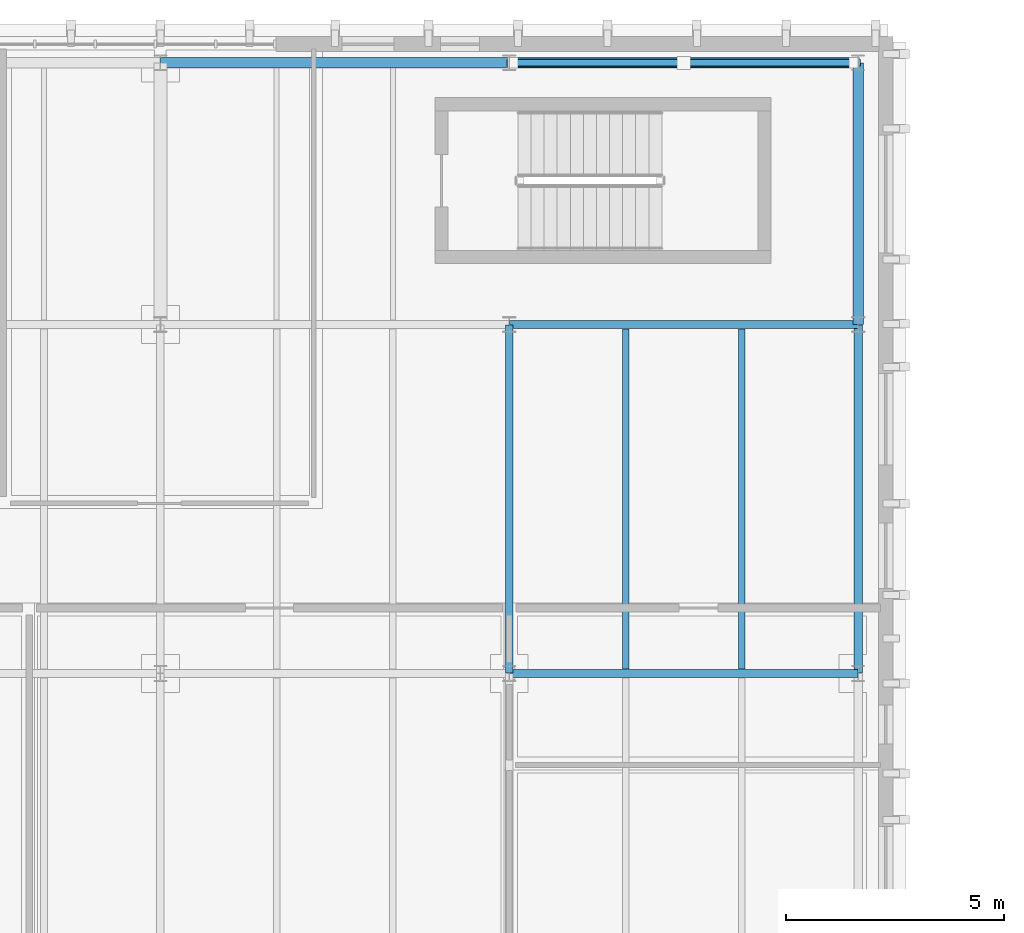
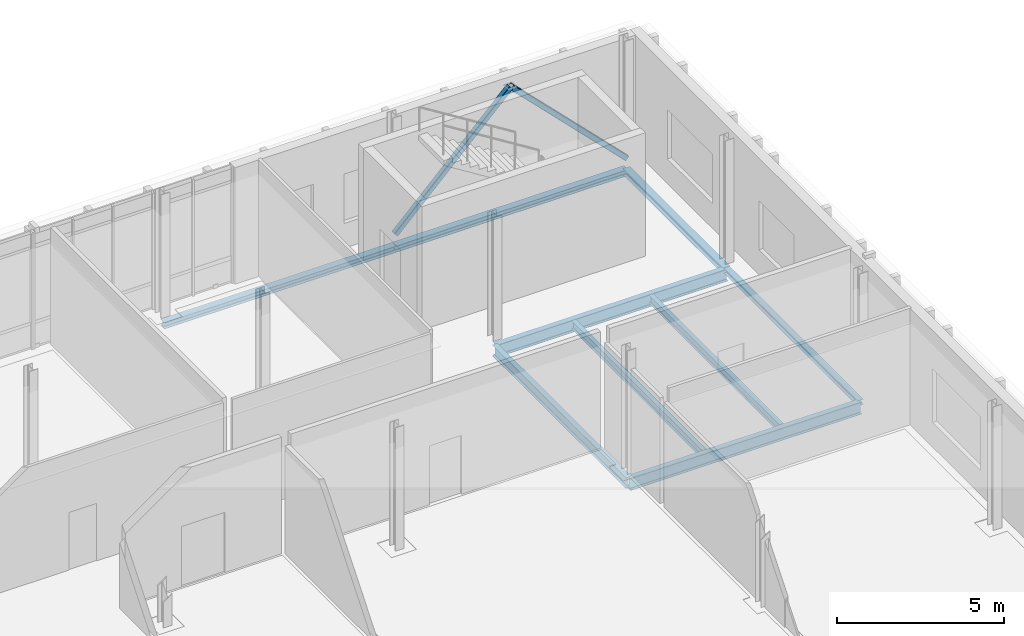
# One storey, part 42 of 100: 9 beams, 2 members.
"""IFC4 building model written with IfcOpenShell, lengths in metres."""

from ifc_helpers import new_model, si_unit, direction, frame, origin, origin_2d, place, context, subcontext, project, spatial, hollow_rectangle, i_section, extrude, material, material_profile, profile_set, type_object, element, save


model = new_model("IFC4")

# Units and contexts
model_context = context("Model", 3, precision=1e-05, world=origin(), true_north=direction((0.0, 1.0)))
body_context = subcontext(model_context, "Body", "Model", "MODEL_VIEW")
ifc_project = project(units=[si_unit("LENGTHUNIT", "METRE"), si_unit("AREAUNIT", "SQUARE_METRE"), si_unit("VOLUMEUNIT", "CUBIC_METRE"), si_unit("PLANEANGLEUNIT", "RADIAN"), si_unit("MASSUNIT", "GRAM", prefix="KILO")], contexts=[model_context])

# Site, building, storey
site_placement = place(None, origin())
site = spatial("IfcSite", under=ifc_project, at=site_placement, CompositionType="ELEMENT")
building_placement = place(site_placement, origin())
building = spatial("IfcBuilding", under=site, at=building_placement, Name="Cymarion Research Institute", CompositionType="ELEMENT")
storey_placement = place(building_placement, frame((0.0, 0.0, 9.300048828125)))
storey = spatial("IfcBuildingStorey", under=building, at=storey_placement, Name="L02", CompositionType="ELEMENT", Elevation=9.300048828125)

# Beams
ifc_material = material(Name="Steel S355", Category="steel")
ifc_material_profile_1 = material_profile(ifc_material, i_section(OverallWidth=0.18994140625, OverallDepth=0.449951171875, WebThickness=0.009521484375, FlangeThickness=0.0146484375, FilletRadius=0.02099609375, at=origin_2d()), Name="IPE 450")
ifc_profile_set_1 = profile_set([ifc_material_profile_1], Name="Steel S355")
beam_type_1 = type_object("IfcBeamType", Name="PRIMARY GIRDER BM04 IPE 450", PredefinedType="BEAM", material=ifc_profile_set_1)
for number, where, z_axis, x_axis, name in (
    (1, (38.60595703125, 101.5, -0.47509765625), (1.0, 0.0, 0.0), (0.0, 1.0, 0.0), "L02 V5 girder BM04 #1111"),
    (2, (38.60595703125, 109.5, -0.47509765625), (1.0, 0.0, 0.0), (0.0, 1.0, 0.0), "L02 V5 girder BM04 #1116"),
):
    element("IfcBeam", number, at=place(storey_placement, frame(where, z_axis=z_axis, x_axis=x_axis)), inside=storey, type_object=beam_type_1, Name=name, PredefinedType="BEAM", context=body_context, shape_type="SweptSolid", body=[
        extrude(i_section(OverallWidth=0.18994140625, OverallDepth=0.449951171875, WebThickness=0.009521484375, FlangeThickness=0.0146484375, FilletRadius=0.02099609375, at=origin_2d()), origin(), (0.0, 0.0, 1.0), 7.988037109375),
    ])
ifc_material_profile_2 = material_profile(ifc_material, i_section(OverallWidth=0.179931640625, OverallDepth=0.39990234375, WebThickness=0.008544921875, FlangeThickness=0.013427734375, FilletRadius=0.02099609375, at=origin_2d()), Name="IPE 400")
ifc_profile_set_2 = profile_set([ifc_material_profile_2], Name="Steel S355")
beam_type_2 = type_object("IfcBeamType", Name="PRIMARY GIRDER BM05 IPE 400", PredefinedType="BEAM", material=ifc_profile_set_2)
beam_1_placement = place(storey_placement, frame((38.60009765625, 101.506103515625, -0.449951171875), z_axis=(0.0, 1.0, 0.0), x_axis=(-1.0, 0.0, 0.0)))
element("IfcBeam", 3, at=beam_1_placement, inside=storey, type_object=beam_type_2, Name="L02 V5 girder BM05 #1138", PredefinedType="BEAM", context=body_context, shape_type="SweptSolid", body=[
    extrude(i_section(OverallWidth=0.179931640625, OverallDepth=0.39990234375, WebThickness=0.008544921875, FlangeThickness=0.013427734375, FilletRadius=0.02099609375, at=origin_2d()), origin(), (0.0, 0.0, 1.0), 7.98779296875),
])
ifc_material_profile_3 = material_profile(ifc_material, i_section(OverallWidth=0.14990234375, OverallDepth=0.300048828125, WebThickness=0.007080078125, FlangeThickness=0.0107421875, FilletRadius=0.014892578125, at=origin_2d()), Name="IPE 300")
ifc_profile_set_3 = profile_set([ifc_material_profile_3], Name="Steel S355")
beam_type_3 = type_object("IfcBeamType", Name="SECONDARY JOIST JS02 IPE 300", PredefinedType="JOIST", material=ifc_profile_set_3)
for number, where, z_axis, x_axis, name in (
    (4, (41.2666015625, 101.59912109375, -0.400146484375), (0.0, 1.0, 0.0), (-1.0, 0.0, 0.0), "L02 V5 secondary joist JS02 #1158"),
    (5, (43.933349609375, 101.59912109375, -0.400146484375), (0.0, 1.0, 0.0), (-1.0, 0.0, 0.0), "L02 V5 secondary joist JS02 #1159"),
):
    element("IfcBeam", number, at=place(storey_placement, frame(where, z_axis=z_axis, x_axis=x_axis)), inside=storey, type_object=beam_type_3, Name=name, PredefinedType="JOIST", context=body_context, shape_type="SweptSolid", body=[
        extrude(i_section(OverallWidth=0.14990234375, OverallDepth=0.300048828125, WebThickness=0.007080078125, FlangeThickness=0.0107421875, FilletRadius=0.014892578125, at=origin_2d()), origin(), (0.0, 0.0, 1.0), 7.8017578125),
    ])
ifc_material_profile_4 = material_profile(ifc_material, i_section(OverallWidth=0.239990234375, OverallDepth=0.22998046875, WebThickness=0.007568359375, FlangeThickness=0.011962890625, FilletRadius=0.02099609375, at=origin_2d()), Name="HEA 240")
ifc_profile_set_4 = profile_set([ifc_material_profile_4], Name="Steel S355")
beam_type_4 = type_object("IfcBeamType", Name="SPANDREL BEAM SPB03 HEA 240", PredefinedType="SPANDREL", material=ifc_profile_set_4)
for number, where, z_axis, x_axis, name in (
    (6, (30.60595703125, 115.5, -0.364990234375), (1.0, 0.0, 0.0), (0.0, 1.0, 0.0), "L02 V5 girder SPB03 #1120"),
    (7, (38.60595703125, 115.5, -0.364990234375), (1.0, 0.0, 0.0), (0.0, 1.0, 0.0), "L02 V5 girder SPB03 #1121"),
):
    element("IfcBeam", number, at=place(storey_placement, frame(where, z_axis=z_axis, x_axis=x_axis)), inside=storey, type_object=beam_type_4, Name=name, PredefinedType="SPANDREL", context=body_context, shape_type="SweptSolid", body=[
        extrude(i_section(OverallWidth=0.239990234375, OverallDepth=0.22998046875, WebThickness=0.007568359375, FlangeThickness=0.011962890625, FilletRadius=0.02099609375, at=origin_2d()), origin(), (0.0, 0.0, 1.0), 7.988037109375),
    ])
beam_2_placement = place(storey_placement, frame((46.60009765625, 109.506103515625, -0.364990234375), z_axis=(0.0, 1.0, 0.0), x_axis=(-1.0, 0.0, 0.0)))
element("IfcBeam", 8, at=beam_2_placement, inside=storey, type_object=beam_type_4, Name="L02 V5 girder SPB03 #1141", PredefinedType="SPANDREL", context=body_context, shape_type="SweptSolid", body=[
    extrude(i_section(OverallWidth=0.239990234375, OverallDepth=0.22998046875, WebThickness=0.007568359375, FlangeThickness=0.011962890625, FilletRadius=0.02099609375, at=origin_2d()), origin(), (0.0, 0.0, 1.0), 5.98779296875),
])
ifc_material_profile_5 = material_profile(ifc_material, i_section(OverallWidth=0.199951171875, OverallDepth=0.18994140625, WebThickness=0.006591796875, FlangeThickness=0.010009765625, FilletRadius=0.01806640625, at=origin_2d()), Name="HEA 200")
ifc_profile_set_5 = profile_set([ifc_material_profile_5], Name="Steel S355")
beam_type_5 = type_object("IfcBeamType", Name="SPANDREL BEAM SPB04 HEA 200", PredefinedType="SPANDREL", material=ifc_profile_set_5)
beam_3_placement = place(storey_placement, frame((46.60009765625, 101.506103515625, -0.344970703125), z_axis=(0.0, 1.0, 0.0), x_axis=(-1.0, 0.0, 0.0)))
element("IfcBeam", 9, at=beam_3_placement, inside=storey, type_object=beam_type_5, Name="L02 V5 girder SPB04 #1140", PredefinedType="SPANDREL", context=body_context, shape_type="SweptSolid", body=[
    extrude(i_section(OverallWidth=0.199951171875, OverallDepth=0.18994140625, WebThickness=0.006591796875, FlangeThickness=0.010009765625, FilletRadius=0.01806640625, at=origin_2d()), origin(), (0.0, 0.0, 1.0), 7.98779296875),
])

# Members
ifc_material_profile_6 = material_profile(ifc_material, hollow_rectangle(XDim=0.179931640625, YDim=0.179931640625, WallThickness=0.010009765625, InnerFilletRadius=0.014892578125, OuterFilletRadius=0.02490234375, at=origin_2d()), Name="SHS 180x180x10")
ifc_profile_set_6 = profile_set([ifc_material_profile_6], Name="Steel S355")
member_type = type_object("IfcMemberType", Name="STRUCTURAL MEMBER BR08 SHS 180x180x10", PredefinedType="BRACE", material=ifc_profile_set_6)
member_1_placement = place(storey_placement, frame((38.6142578125, 115.5, 0.119873046875), z_axis=(0.70610954467, 0.0, 0.708102613275), x_axis=(0.0, 1.0, 0.0)))
element("IfcMember", 10, at=member_1_placement, inside=storey, type_object=member_type, Name="L02 V5 seismic chevron brace BR08 #1", PredefinedType="BRACE", context=body_context, shape_type="SweptSolid", body=[
    extrude(hollow_rectangle(XDim=0.179931640625, YDim=0.179931640625, WallThickness=0.010009765625, InnerFilletRadius=0.014892578125, OuterFilletRadius=0.02490234375, at=origin_2d()), origin(), (0.0, 0.0, 1.0), 5.634765625),
])
member_2_placement = place(storey_placement, frame((46.585693359375, 115.5, 0.119873046875), z_axis=(-0.706087818821, 0.0, 0.708124277307), x_axis=(0.0, -1.0, 0.0)))
element("IfcMember", 11, at=member_2_placement, inside=storey, type_object=member_type, Name="L02 V5 seismic chevron brace BR08 #2", PredefinedType="BRACE", context=body_context, shape_type="SweptSolid", body=[
    extrude(hollow_rectangle(XDim=0.179931640625, YDim=0.179931640625, WallThickness=0.010009765625, InnerFilletRadius=0.014892578125, OuterFilletRadius=0.02490234375, at=origin_2d()), origin(), (0.0, 0.0, 1.0), 5.634521484375),
])

save(model, "model.ifc")
